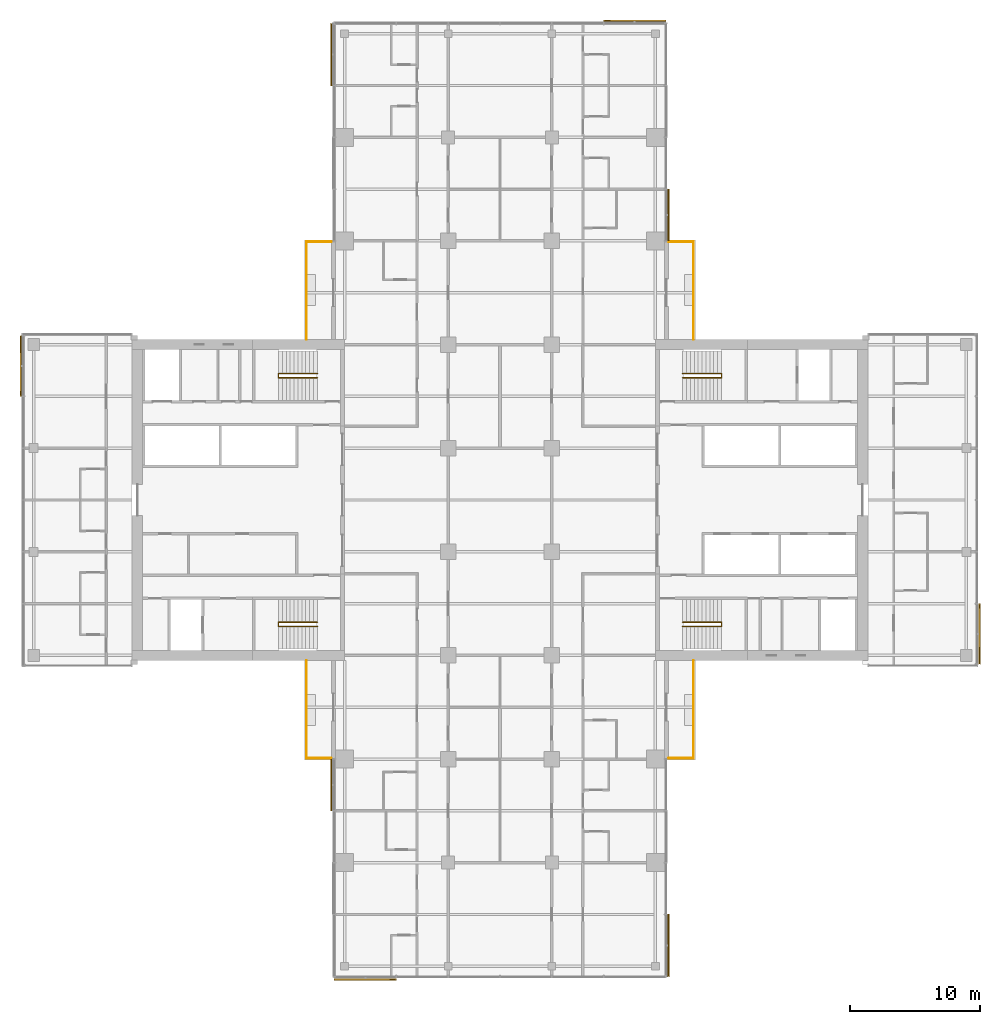
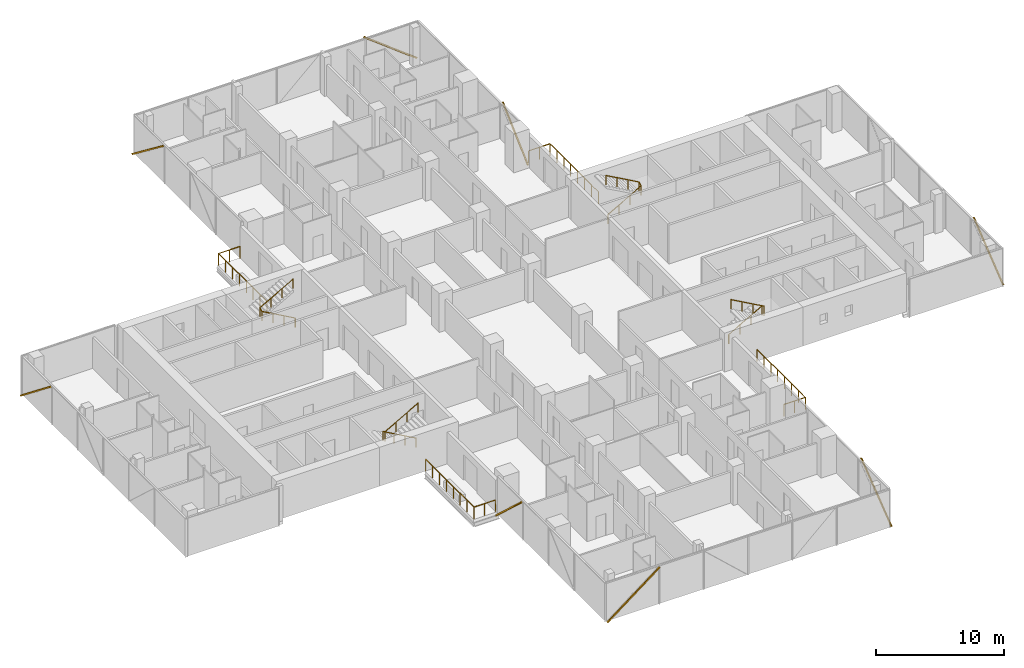
# One storey, part 27 of 27: 8 railings, 8 shading devices, 8 elements without a shape of their own.
"""IFC4 building model written with IfcOpenShell, lengths in metres."""

from ifc_helpers import new_model, si_unit, direction, frame, origin, origin_2d, place, context, subcontext, project, spatial, rectangle, circle, extrude, material, material_profile, profile_set, type_object, element, aggregate, save


model = new_model("IFC4")

# Units and contexts
model_context = context("Model", 3, precision=1e-05, world=origin(), true_north=direction((0.0, 1.0)))
body_context = subcontext(model_context, "Body", "Model", "MODEL_VIEW")
ifc_project = project(units=[si_unit("LENGTHUNIT", "METRE"), si_unit("AREAUNIT", "SQUARE_METRE"), si_unit("VOLUMEUNIT", "CUBIC_METRE"), si_unit("PLANEANGLEUNIT", "RADIAN"), si_unit("MASSUNIT", "GRAM", prefix="KILO")], contexts=[model_context])

# Site, building, storey
site_placement = place(None, origin())
site = spatial("IfcSite", under=ifc_project, at=site_placement, CompositionType="ELEMENT")
building_placement = place(site_placement, origin())
building = spatial("IfcBuilding", under=site, at=building_placement, Name="Crosswind Convention Tower", CompositionType="ELEMENT")
storey_placement = place(building_placement, frame((0.0, 0.0, 83.10009765625)))
storey = spatial("IfcBuildingStorey", under=building, at=storey_placement, Name="L15", CompositionType="ELEMENT", Elevation=83.10009765625)

# Railings
ifc_material_1 = material(Name="Steel and laminated glass balustrade", Category="steel")
railing_type_1 = type_object("IfcRailingType", Name="BALCONY BALUSTRADE 1150", PredefinedType="BALUSTRADE", material=ifc_material_1)
railing_1_placement = place(storey_placement, frame((139.93994140625, 112.39990234375, 0.0)))
element("IfcRailing", 1, at=railing_1_placement, inside=storey, type_object=railing_type_1, Name="R11 balcony balustrade L15 N-E.1-1", PredefinedType="BALUSTRADE", context=body_context, shape_type="SweptSolid", body=[
    extrude(circle(Radius=0.02392578125, at=origin_2d()), frame((0.0, 0.0, 1.1259765625), z_axis=(0.0, 1.0, 0.0), x_axis=(-1.0, 0.0, 0.0)), (0.0, 0.0, 1.0), 7.5400390625),
    extrude(circle(Radius=0.02392578125, at=origin_2d()), frame((0.0, 7.5400390625, 1.1259765625), z_axis=(-1.0, 0.0, 0.0), x_axis=(0.0, -1.0, 0.0)), (0.0, 0.0, 1.0), 1.9189453125),
    extrude(circle(Radius=0.02099609375, at=origin_2d()), origin(), (0.0, 0.0, 1.0), 1.101806640625),
    extrude(circle(Radius=0.02099609375, at=origin_2d()), frame((0.0, 1.0771484375, 0.0)), (0.0, 0.0, 1.0), 1.101806640625),
    extrude(circle(Radius=0.02099609375, at=origin_2d()), frame((0.0, 2.154296875, 0.0)), (0.0, 0.0, 1.0), 1.101806640625),
    extrude(circle(Radius=0.02099609375, at=origin_2d()), frame((0.0, 3.2314453125, 0.0)), (0.0, 0.0, 1.0), 1.101806640625),
    extrude(circle(Radius=0.02099609375, at=origin_2d()), frame((0.0, 4.30859375, 0.0)), (0.0, 0.0, 1.0), 1.101806640625),
    extrude(circle(Radius=0.02099609375, at=origin_2d()), frame((0.0, 5.3857421875, 0.0)), (0.0, 0.0, 1.0), 1.101806640625),
    extrude(circle(Radius=0.02099609375, at=origin_2d()), frame((0.0, 6.462890625, 0.0)), (0.0, 0.0, 1.0), 1.101806640625),
    extrude(circle(Radius=0.02099609375, at=origin_2d()), frame((0.0, 7.5400390625, 0.0)), (0.0, 0.0, 1.0), 1.101806640625),
    extrude(circle(Radius=0.02099609375, at=origin_2d()), frame((-0.95947265625, 7.5400390625, 0.0)), (0.0, 0.0, 1.0), 1.101806640625),
    extrude(circle(Radius=0.02099609375, at=origin_2d()), frame((-1.9189453125, 7.5400390625, 0.0)), (0.0, 0.0, 1.0), 1.101806640625),
])
railing_2_placement = place(storey_placement, frame((110.06005859375, 112.39990234375, 0.0)))
element("IfcRailing", 2, at=railing_2_placement, inside=storey, type_object=railing_type_1, Name="R11 balcony balustrade L15 N-W.1-3", PredefinedType="BALUSTRADE", context=body_context, shape_type="SweptSolid", body=[
    extrude(circle(Radius=0.02392578125, at=origin_2d()), frame((0.0, 0.0, 1.1259765625), z_axis=(0.0, 1.0, 0.0), x_axis=(-1.0, 0.0, 0.0)), (0.0, 0.0, 1.0), 7.5400390625),
    extrude(circle(Radius=0.02392578125, at=origin_2d()), frame((0.0, 7.5400390625, 1.1259765625), z_axis=(1.0, 0.0, 0.0), x_axis=(0.0, 1.0, 0.0)), (0.0, 0.0, 1.0), 1.9189453125),
    extrude(circle(Radius=0.02099609375, at=origin_2d()), origin(), (0.0, 0.0, 1.0), 1.101806640625),
    extrude(circle(Radius=0.02099609375, at=origin_2d()), frame((0.0, 1.0771484375, 0.0)), (0.0, 0.0, 1.0), 1.101806640625),
    extrude(circle(Radius=0.02099609375, at=origin_2d()), frame((0.0, 2.154296875, 0.0)), (0.0, 0.0, 1.0), 1.101806640625),
    extrude(circle(Radius=0.02099609375, at=origin_2d()), frame((0.0, 3.2314453125, 0.0)), (0.0, 0.0, 1.0), 1.101806640625),
    extrude(circle(Radius=0.02099609375, at=origin_2d()), frame((0.0, 4.30859375, 0.0)), (0.0, 0.0, 1.0), 1.101806640625),
    extrude(circle(Radius=0.02099609375, at=origin_2d()), frame((0.0, 5.3857421875, 0.0)), (0.0, 0.0, 1.0), 1.101806640625),
    extrude(circle(Radius=0.02099609375, at=origin_2d()), frame((0.0, 6.462890625, 0.0)), (0.0, 0.0, 1.0), 1.101806640625),
    extrude(circle(Radius=0.02099609375, at=origin_2d()), frame((0.0, 7.5400390625, 0.0)), (0.0, 0.0, 1.0), 1.101806640625),
    extrude(circle(Radius=0.02099609375, at=origin_2d()), frame((0.95947265625, 7.5400390625, 0.0)), (0.0, 0.0, 1.0), 1.101806640625),
    extrude(circle(Radius=0.02099609375, at=origin_2d()), frame((1.9189453125, 7.5400390625, 0.0)), (0.0, 0.0, 1.0), 1.101806640625),
])
railing_3_placement = place(storey_placement, frame((110.06005859375, 87.60009765625, 0.0)))
element("IfcRailing", 3, at=railing_3_placement, inside=storey, type_object=railing_type_1, Name="R11 balcony balustrade L15 S-W.1-1", PredefinedType="BALUSTRADE", context=body_context, shape_type="SweptSolid", body=[
    extrude(circle(Radius=0.02392578125, at=origin_2d()), frame((0.0, 0.0, 1.1259765625), z_axis=(0.0, -1.0, 0.0), x_axis=(1.0, 0.0, 0.0)), (0.0, 0.0, 1.0), 7.5400390625),
    extrude(circle(Radius=0.02392578125, at=origin_2d()), frame((0.0, -7.5400390625, 1.1259765625), z_axis=(1.0, 0.0, 0.0), x_axis=(0.0, 1.0, 0.0)), (0.0, 0.0, 1.0), 1.9189453125),
    extrude(circle(Radius=0.02099609375, at=origin_2d()), origin(), (0.0, 0.0, 1.0), 1.101806640625),
    extrude(circle(Radius=0.02099609375, at=origin_2d()), frame((0.0, -1.0771484375, 0.0)), (0.0, 0.0, 1.0), 1.101806640625),
    extrude(circle(Radius=0.02099609375, at=origin_2d()), frame((0.0, -2.154296875, 0.0)), (0.0, 0.0, 1.0), 1.101806640625),
    extrude(circle(Radius=0.02099609375, at=origin_2d()), frame((0.0, -3.2314453125, 0.0)), (0.0, 0.0, 1.0), 1.101806640625),
    extrude(circle(Radius=0.02099609375, at=origin_2d()), frame((0.0, -4.30859375, 0.0)), (0.0, 0.0, 1.0), 1.101806640625),
    extrude(circle(Radius=0.02099609375, at=origin_2d()), frame((0.0, -5.3857421875, 0.0)), (0.0, 0.0, 1.0), 1.101806640625),
    extrude(circle(Radius=0.02099609375, at=origin_2d()), frame((0.0, -6.462890625, 0.0)), (0.0, 0.0, 1.0), 1.101806640625),
    extrude(circle(Radius=0.02099609375, at=origin_2d()), frame((0.0, -7.5400390625, 0.0)), (0.0, 0.0, 1.0), 1.101806640625),
    extrude(circle(Radius=0.02099609375, at=origin_2d()), frame((0.95947265625, -7.5400390625, 0.0)), (0.0, 0.0, 1.0), 1.101806640625),
    extrude(circle(Radius=0.02099609375, at=origin_2d()), frame((1.9189453125, -7.5400390625, 0.0)), (0.0, 0.0, 1.0), 1.101806640625),
])
railing_4_placement = place(storey_placement, frame((139.93994140625, 87.60009765625, 0.0)))
element("IfcRailing", 4, at=railing_4_placement, inside=storey, type_object=railing_type_1, Name="R11 balcony balustrade L15 S-E.1-3", PredefinedType="BALUSTRADE", context=body_context, shape_type="SweptSolid", body=[
    extrude(circle(Radius=0.02392578125, at=origin_2d()), frame((0.0, 0.0, 1.1259765625), z_axis=(0.0, -1.0, 0.0), x_axis=(1.0, 0.0, 0.0)), (0.0, 0.0, 1.0), 7.5400390625),
    extrude(circle(Radius=0.02392578125, at=origin_2d()), frame((0.0, -7.5400390625, 1.1259765625), z_axis=(-1.0, 0.0, 0.0), x_axis=(0.0, -1.0, 0.0)), (0.0, 0.0, 1.0), 1.9189453125),
    extrude(circle(Radius=0.02099609375, at=origin_2d()), origin(), (0.0, 0.0, 1.0), 1.101806640625),
    extrude(circle(Radius=0.02099609375, at=origin_2d()), frame((0.0, -1.0771484375, 0.0)), (0.0, 0.0, 1.0), 1.101806640625),
    extrude(circle(Radius=0.02099609375, at=origin_2d()), frame((0.0, -2.154296875, 0.0)), (0.0, 0.0, 1.0), 1.101806640625),
    extrude(circle(Radius=0.02099609375, at=origin_2d()), frame((0.0, -3.2314453125, 0.0)), (0.0, 0.0, 1.0), 1.101806640625),
    extrude(circle(Radius=0.02099609375, at=origin_2d()), frame((0.0, -4.30859375, 0.0)), (0.0, 0.0, 1.0), 1.101806640625),
    extrude(circle(Radius=0.02099609375, at=origin_2d()), frame((0.0, -5.3857421875, 0.0)), (0.0, 0.0, 1.0), 1.101806640625),
    extrude(circle(Radius=0.02099609375, at=origin_2d()), frame((0.0, -6.462890625, 0.0)), (0.0, 0.0, 1.0), 1.101806640625),
    extrude(circle(Radius=0.02099609375, at=origin_2d()), frame((0.0, -7.5400390625, 0.0)), (0.0, 0.0, 1.0), 1.101806640625),
    extrude(circle(Radius=0.02099609375, at=origin_2d()), frame((-0.95947265625, -7.5400390625, 0.0)), (0.0, 0.0, 1.0), 1.101806640625),
    extrude(circle(Radius=0.02099609375, at=origin_2d()), frame((-1.9189453125, -7.5400390625, 0.0)), (0.0, 0.0, 1.0), 1.101806640625),
])
ifc_material_2 = material(Name="Stainless steel", Category="steel")
railing_type_2 = type_object("IfcRailingType", Name="Stair handrail 900", PredefinedType="HANDRAIL", material=ifc_material_2)
railing_5_placement = place(storey_placement, frame((139.10009765625, 109.43994140625, 0.16796875)))
element("IfcRailing", 5, at=railing_5_placement, inside=storey, type_object=railing_type_2, Name="Stair ST1 handrail L15", PredefinedType="HANDRAIL", context=body_context, shape_type="SweptSolid", body=[
    extrude(circle(Radius=0.02392578125, at=origin_2d()), frame((0.0, 0.0, 0.8759765625), z_axis=(0.872272294576, 0.0, 0.489020494575), x_axis=(0.0, 1.0, 0.0)), (0.0, 0.0, 1.0), 3.439208984375),
    extrude(circle(Radius=0.02392578125, at=origin_2d()), frame((3.0, 0.0, 2.5576171875), z_axis=(0.0, 0.885196349292, 0.465217608438), x_axis=(-1.0, 0.0, 0.0)), (0.0, 0.0, 1.0), 0.361572265625),
    extrude(circle(Radius=0.02392578125, at=origin_2d()), frame((3.0, 0.320068359375, 2.72607421875), z_axis=(-0.872272294576, 0.0, 0.489020494575), x_axis=(0.0, -1.0, 0.0)), (0.0, 0.0, 1.0), 3.439208984375),
    extrude(circle(Radius=0.02099609375, at=origin_2d()), origin(), (0.0, 0.0, 1.0), 0.851806640625),
    extrude(circle(Radius=0.02099609375, at=origin_2d()), frame((1.0, 0.0, 0.560546875)), (0.0, 0.0, 1.0), 0.851806640625),
    extrude(circle(Radius=0.02099609375, at=origin_2d()), frame((2.0, 0.0, 1.121337890625)), (0.0, 0.0, 1.0), 0.851806640625),
    extrude(circle(Radius=0.02099609375, at=origin_2d()), frame((3.0, 0.0, 1.681884765625)), (0.0, 0.0, 1.0), 0.851806640625),
    extrude(circle(Radius=0.02099609375, at=origin_2d()), frame((3.0, 0.320068359375, 1.85009765625)), (0.0, 0.0, 1.0), 0.851806640625),
    extrude(circle(Radius=0.02099609375, at=origin_2d()), frame((2.0, 0.320068359375, 2.41064453125)), (0.0, 0.0, 1.0), 0.851806640625),
    extrude(circle(Radius=0.02099609375, at=origin_2d()), frame((1.0, 0.320068359375, 2.971435546875)), (0.0, 0.0, 1.0), 0.851806640625),
    extrude(circle(Radius=0.02099609375, at=origin_2d()), frame((0.0, 0.320068359375, 3.531982421875)), (0.0, 0.0, 1.0), 0.851806640625),
])
railing_6_placement = place(storey_placement, frame((139.10009765625, 90.56005859375, 0.16796875)))
element("IfcRailing", 6, at=railing_6_placement, inside=storey, type_object=railing_type_2, Name="Stair ST2 handrail L15", PredefinedType="HANDRAIL", context=body_context, shape_type="SweptSolid", body=[
    extrude(circle(Radius=0.02392578125, at=origin_2d()), frame((0.0, 0.0, 0.8759765625), z_axis=(0.872272294576, 0.0, 0.489020494575), x_axis=(0.0, 1.0, 0.0)), (0.0, 0.0, 1.0), 3.439208984375),
    extrude(circle(Radius=0.02392578125, at=origin_2d()), frame((3.0, 0.0, 2.5576171875), z_axis=(0.0, -0.885196349292, 0.465217608438), x_axis=(1.0, 0.0, 0.0)), (0.0, 0.0, 1.0), 0.361572265625),
    extrude(circle(Radius=0.02392578125, at=origin_2d()), frame((3.0, -0.320068359375, 2.72607421875), z_axis=(-0.872272294576, 0.0, 0.489020494575), x_axis=(0.0, -1.0, 0.0)), (0.0, 0.0, 1.0), 3.439208984375),
    extrude(circle(Radius=0.02099609375, at=origin_2d()), origin(), (0.0, 0.0, 1.0), 0.851806640625),
    extrude(circle(Radius=0.02099609375, at=origin_2d()), frame((1.0, 0.0, 0.560546875)), (0.0, 0.0, 1.0), 0.851806640625),
    extrude(circle(Radius=0.02099609375, at=origin_2d()), frame((2.0, 0.0, 1.121337890625)), (0.0, 0.0, 1.0), 0.851806640625),
    extrude(circle(Radius=0.02099609375, at=origin_2d()), frame((3.0, 0.0, 1.681884765625)), (0.0, 0.0, 1.0), 0.851806640625),
    extrude(circle(Radius=0.02099609375, at=origin_2d()), frame((3.0, -0.320068359375, 1.85009765625)), (0.0, 0.0, 1.0), 0.851806640625),
    extrude(circle(Radius=0.02099609375, at=origin_2d()), frame((2.0, -0.320068359375, 2.41064453125)), (0.0, 0.0, 1.0), 0.851806640625),
    extrude(circle(Radius=0.02099609375, at=origin_2d()), frame((1.0, -0.320068359375, 2.971435546875)), (0.0, 0.0, 1.0), 0.851806640625),
    extrude(circle(Radius=0.02099609375, at=origin_2d()), frame((0.0, -0.320068359375, 3.531982421875)), (0.0, 0.0, 1.0), 0.851806640625),
])
railing_7_placement = place(storey_placement, frame((110.89990234375, 90.56005859375, 0.16796875)))
element("IfcRailing", 7, at=railing_7_placement, inside=storey, type_object=railing_type_2, Name="Stair ST3 handrail L15", PredefinedType="HANDRAIL", context=body_context, shape_type="SweptSolid", body=[
    extrude(circle(Radius=0.02392578125, at=origin_2d()), frame((0.0, 0.0, 0.8759765625), z_axis=(-0.872272294576, 0.0, 0.489020494575), x_axis=(0.0, -1.0, 0.0)), (0.0, 0.0, 1.0), 3.439208984375),
    extrude(circle(Radius=0.02392578125, at=origin_2d()), frame((-3.0, 0.0, 2.5576171875), z_axis=(0.0, -0.885196349292, 0.465217608438), x_axis=(1.0, 0.0, 0.0)), (0.0, 0.0, 1.0), 0.361572265625),
    extrude(circle(Radius=0.02392578125, at=origin_2d()), frame((-3.0, -0.320068359375, 2.72607421875), z_axis=(0.872272294576, 0.0, 0.489020494575), x_axis=(0.0, 1.0, 0.0)), (0.0, 0.0, 1.0), 3.439208984375),
    extrude(circle(Radius=0.02099609375, at=origin_2d()), origin(), (0.0, 0.0, 1.0), 0.851806640625),
    extrude(circle(Radius=0.02099609375, at=origin_2d()), frame((-1.0, 0.0, 0.560546875)), (0.0, 0.0, 1.0), 0.851806640625),
    extrude(circle(Radius=0.02099609375, at=origin_2d()), frame((-2.0, 0.0, 1.121337890625)), (0.0, 0.0, 1.0), 0.851806640625),
    extrude(circle(Radius=0.02099609375, at=origin_2d()), frame((-3.0, 0.0, 1.681884765625)), (0.0, 0.0, 1.0), 0.851806640625),
    extrude(circle(Radius=0.02099609375, at=origin_2d()), frame((-3.0, -0.320068359375, 1.85009765625)), (0.0, 0.0, 1.0), 0.851806640625),
    extrude(circle(Radius=0.02099609375, at=origin_2d()), frame((-2.0, -0.320068359375, 2.41064453125)), (0.0, 0.0, 1.0), 0.851806640625),
    extrude(circle(Radius=0.02099609375, at=origin_2d()), frame((-1.0, -0.320068359375, 2.971435546875)), (0.0, 0.0, 1.0), 0.851806640625),
    extrude(circle(Radius=0.02099609375, at=origin_2d()), frame((0.0, -0.320068359375, 3.531982421875)), (0.0, 0.0, 1.0), 0.851806640625),
])
railing_8_placement = place(storey_placement, frame((110.89990234375, 109.43994140625, 0.16796875)))
element("IfcRailing", 8, at=railing_8_placement, inside=storey, type_object=railing_type_2, Name="Stair ST4 handrail L15", PredefinedType="HANDRAIL", context=body_context, shape_type="SweptSolid", body=[
    extrude(circle(Radius=0.02392578125, at=origin_2d()), frame((0.0, 0.0, 0.8759765625), z_axis=(-0.872272294576, 0.0, 0.489020494575), x_axis=(0.0, -1.0, 0.0)), (0.0, 0.0, 1.0), 3.439208984375),
    extrude(circle(Radius=0.02392578125, at=origin_2d()), frame((-3.0, 0.0, 2.5576171875), z_axis=(0.0, 0.885196349292, 0.465217608438), x_axis=(-1.0, 0.0, 0.0)), (0.0, 0.0, 1.0), 0.361572265625),
    extrude(circle(Radius=0.02392578125, at=origin_2d()), frame((-3.0, 0.320068359375, 2.72607421875), z_axis=(0.872272294576, 0.0, 0.489020494575), x_axis=(0.0, 1.0, 0.0)), (0.0, 0.0, 1.0), 3.439208984375),
    extrude(circle(Radius=0.02099609375, at=origin_2d()), origin(), (0.0, 0.0, 1.0), 0.851806640625),
    extrude(circle(Radius=0.02099609375, at=origin_2d()), frame((-1.0, 0.0, 0.560546875)), (0.0, 0.0, 1.0), 0.851806640625),
    extrude(circle(Radius=0.02099609375, at=origin_2d()), frame((-2.0, 0.0, 1.121337890625)), (0.0, 0.0, 1.0), 0.851806640625),
    extrude(circle(Radius=0.02099609375, at=origin_2d()), frame((-3.0, 0.0, 1.681884765625)), (0.0, 0.0, 1.0), 0.851806640625),
    extrude(circle(Radius=0.02099609375, at=origin_2d()), frame((-3.0, 0.320068359375, 1.85009765625)), (0.0, 0.0, 1.0), 0.851806640625),
    extrude(circle(Radius=0.02099609375, at=origin_2d()), frame((-2.0, 0.320068359375, 2.41064453125)), (0.0, 0.0, 1.0), 0.851806640625),
    extrude(circle(Radius=0.02099609375, at=origin_2d()), frame((-1.0, 0.320068359375, 2.971435546875)), (0.0, 0.0, 1.0), 0.851806640625),
    extrude(circle(Radius=0.02099609375, at=origin_2d()), frame((0.0, 0.320068359375, 3.531982421875)), (0.0, 0.0, 1.0), 0.851806640625),
])

# Curtain wall, shading device
ifc_material_3 = material(Name="Aluminium unitised curtain wall", Category="aluminium")
curtain_wall_type = type_object("IfcCurtainWallType", Name="HOTEL UNITISED WALL 200", PredefinedType="USERDEFINED", material=ifc_material_3)
curtain_wall_1_placement = place(storey_placement, origin())
curtain_wall_1 = element("IfcCurtainWall", 9, at=curtain_wall_1_placement, inside=storey, type_object=curtain_wall_type, Name="CW2 L15 E-TIP 1", ObjectType="UNITISED", PredefinedType="USERDEFINED")
ifc_material_4 = material(Name="Extruded terracotta", Category="masonry")
ifc_material_profile = material_profile(ifc_material_4, rectangle(XDim=0.10009765625, YDim=0.1201171875, at=origin_2d()), Name="TC 100X120")
ifc_profile_set = profile_set([ifc_material_profile], Name="Extruded terracotta")
shading_device_type = type_object("IfcShadingDeviceType", Name="TERRACOTTA BAGUETTE 120X100", PredefinedType="USERDEFINED", material=ifc_profile_set)
shading_device_1_placement = place(storey_placement, frame((162.008056640625, 87.364990234375, -0.280029296875), z_axis=(0.0, 0.784764474718, 0.619794094212), x_axis=(-1.0, 0.0, 0.0)))
shading_device_1 = element("IfcShadingDevice", 10, at=shading_device_1_placement, type_object=shading_device_type, Name="CW2 terracotta baguette 1", ObjectType="BAGUETTE", PredefinedType="USERDEFINED", context=body_context, shape_type="SweptSolid", body=[
    extrude(rectangle(XDim=0.10009765625, YDim=0.1201171875, at=origin_2d()), origin(), (0.0, 0.0, 1.0), 5.86474609375),
])
aggregate(curtain_wall_1, [shading_device_1])

curtain_wall_2_placement = place(storey_placement, origin())
curtain_wall_2 = element("IfcCurtainWall", 11, at=curtain_wall_2_placement, inside=storey, type_object=curtain_wall_type, Name="CW2 L15 N-E 1", ObjectType="UNITISED", PredefinedType="USERDEFINED")
shading_device_2_placement = place(storey_placement, frame((138.008056640625, 120.032470703125, -0.280029296875), z_axis=(0.0, 0.734557036047, 0.678546948114), x_axis=(-1.0, 0.0, 0.0)))
shading_device_2 = element("IfcShadingDevice", 12, at=shading_device_2_placement, type_object=shading_device_type, Name="CW2 terracotta baguette 1", ObjectType="BAGUETTE", PredefinedType="USERDEFINED", context=body_context, shape_type="SweptSolid", body=[
    extrude(rectangle(XDim=0.10009765625, YDim=0.1201171875, at=origin_2d()), origin(), (0.0, 0.0, 1.0), 5.35693359375),
])
aggregate(curtain_wall_2, [shading_device_2])

curtain_wall_3_placement = place(storey_placement, origin())
curtain_wall_3 = element("IfcCurtainWall", 13, at=curtain_wall_3_placement, inside=storey, type_object=curtain_wall_type, Name="CW2 L15 N-TIP 1", ObjectType="UNITISED", PredefinedType="USERDEFINED")
shading_device_3_placement = place(storey_placement, frame((137.767578125, 137.008056640625, -0.280029296875), z_axis=(-0.793221117913, 0.0, 0.608933705831), x_axis=(0.0, -1.0, 0.0)))
shading_device_3 = element("IfcShadingDevice", 14, at=shading_device_3_placement, type_object=shading_device_type, Name="CW2 terracotta baguette 1", ObjectType="BAGUETTE", PredefinedType="USERDEFINED", context=body_context, shape_type="SweptSolid", body=[
    extrude(rectangle(XDim=0.10009765625, YDim=0.1201171875, at=origin_2d()), origin(), (0.0, 0.0, 1.0), 5.969482421875),
])
aggregate(curtain_wall_3, [shading_device_3])

curtain_wall_4_placement = place(storey_placement, origin())
curtain_wall_4 = element("IfcCurtainWall", 15, at=curtain_wall_4_placement, inside=storey, type_object=curtain_wall_type, Name="CW2 L15 N-W 1", ObjectType="UNITISED", PredefinedType="USERDEFINED")
shading_device_4_placement = place(storey_placement, frame((111.991943359375, 136.767578125, -0.280029296875), z_axis=(0.0, -0.793221117913, 0.608933705831), x_axis=(1.0, 0.0, 0.0)))
shading_device_4 = element("IfcShadingDevice", 16, at=shading_device_4_placement, type_object=shading_device_type, Name="CW2 terracotta baguette 1", ObjectType="BAGUETTE", PredefinedType="USERDEFINED", context=body_context, shape_type="SweptSolid", body=[
    extrude(rectangle(XDim=0.10009765625, YDim=0.1201171875, at=origin_2d()), origin(), (0.0, 0.0, 1.0), 5.969482421875),
])
aggregate(curtain_wall_4, [shading_device_4])

curtain_wall_5_placement = place(storey_placement, origin())
curtain_wall_5 = element("IfcCurtainWall", 17, at=curtain_wall_5_placement, inside=storey, type_object=curtain_wall_type, Name="CW2 L15 W-TIP 1", ObjectType="UNITISED", PredefinedType="USERDEFINED")
shading_device_5_placement = place(storey_placement, frame((87.991943359375, 112.635009765625, -0.280029296875), z_axis=(0.0, -0.784764474718, 0.619794094212), x_axis=(1.0, 0.0, 0.0)))
shading_device_5 = element("IfcShadingDevice", 18, at=shading_device_5_placement, type_object=shading_device_type, Name="CW2 terracotta baguette 1", ObjectType="BAGUETTE", PredefinedType="USERDEFINED", context=body_context, shape_type="SweptSolid", body=[
    extrude(rectangle(XDim=0.10009765625, YDim=0.1201171875, at=origin_2d()), origin(), (0.0, 0.0, 1.0), 5.86474609375),
])
aggregate(curtain_wall_5, [shading_device_5])

curtain_wall_6_placement = place(storey_placement, origin())
curtain_wall_6 = element("IfcCurtainWall", 19, at=curtain_wall_6_placement, inside=storey, type_object=curtain_wall_type, Name="CW2 L15 S-W 1", ObjectType="UNITISED", PredefinedType="USERDEFINED")
shading_device_6_placement = place(storey_placement, frame((111.991943359375, 79.967529296875, -0.280029296875), z_axis=(0.0, -0.734557036047, 0.678546948114), x_axis=(1.0, 0.0, 0.0)))
shading_device_6 = element("IfcShadingDevice", 20, at=shading_device_6_placement, type_object=shading_device_type, Name="CW2 terracotta baguette 1", ObjectType="BAGUETTE", PredefinedType="USERDEFINED", context=body_context, shape_type="SweptSolid", body=[
    extrude(rectangle(XDim=0.10009765625, YDim=0.1201171875, at=origin_2d()), origin(), (0.0, 0.0, 1.0), 5.35693359375),
])
aggregate(curtain_wall_6, [shading_device_6])

curtain_wall_7_placement = place(storey_placement, origin())
curtain_wall_7 = element("IfcCurtainWall", 21, at=curtain_wall_7_placement, inside=storey, type_object=curtain_wall_type, Name="CW2 L15 S-TIP 1", ObjectType="UNITISED", PredefinedType="USERDEFINED")
shading_device_7_placement = place(storey_placement, frame((112.232421875, 62.991943359375, -0.280029296875), z_axis=(0.793221117913, 0.0, 0.608933705831), x_axis=(0.0, 1.0, 0.0)))
shading_device_7 = element("IfcShadingDevice", 22, at=shading_device_7_placement, type_object=shading_device_type, Name="CW2 terracotta baguette 1", ObjectType="BAGUETTE", PredefinedType="USERDEFINED", context=body_context, shape_type="SweptSolid", body=[
    extrude(rectangle(XDim=0.10009765625, YDim=0.1201171875, at=origin_2d()), origin(), (0.0, 0.0, 1.0), 5.969482421875),
])
aggregate(curtain_wall_7, [shading_device_7])

curtain_wall_8_placement = place(storey_placement, origin())
curtain_wall_8 = element("IfcCurtainWall", 23, at=curtain_wall_8_placement, inside=storey, type_object=curtain_wall_type, Name="CW2 L15 S-E 1", ObjectType="UNITISED", PredefinedType="USERDEFINED")
shading_device_8_placement = place(storey_placement, frame((138.008056640625, 63.232421875, -0.280029296875), z_axis=(0.0, 0.793221117913, 0.608933705831), x_axis=(-1.0, 0.0, 0.0)))
shading_device_8 = element("IfcShadingDevice", 24, at=shading_device_8_placement, type_object=shading_device_type, Name="CW2 terracotta baguette 1", ObjectType="BAGUETTE", PredefinedType="USERDEFINED", context=body_context, shape_type="SweptSolid", body=[
    extrude(rectangle(XDim=0.10009765625, YDim=0.1201171875, at=origin_2d()), origin(), (0.0, 0.0, 1.0), 5.969482421875),
])
aggregate(curtain_wall_8, [shading_device_8])

save(model, "model.ifc")
